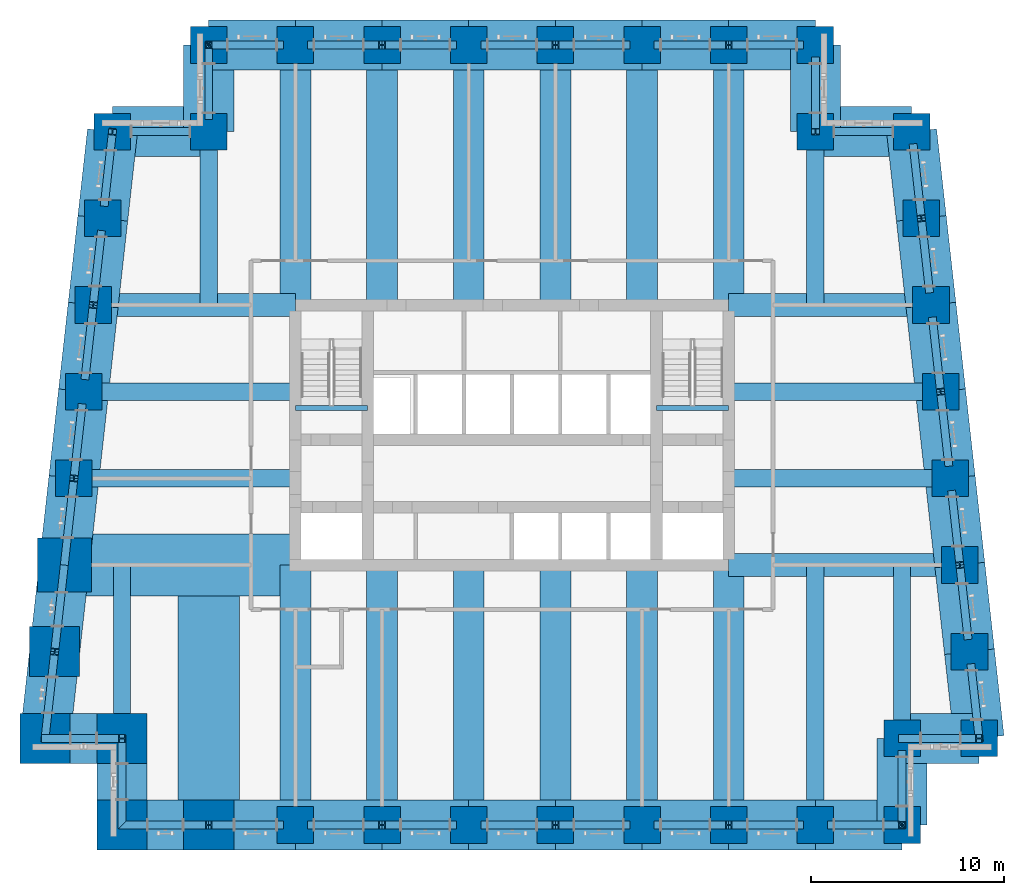
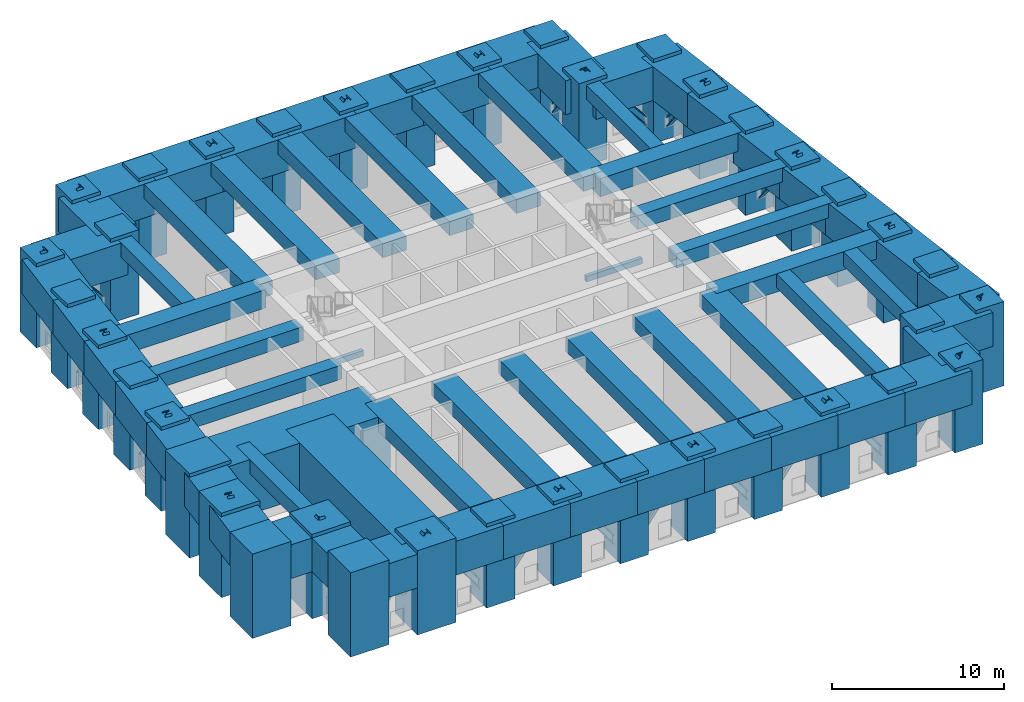
# One storey, part 1 of 17: 66 beams, 38 columns, 38 members.
"""IFC4 building model written with IfcOpenShell, lengths in metres."""

from ifc_helpers import new_model, si_unit, direction, frame, origin, origin_2d, place, context, subcontext, project, spatial, rectangle, i_section, extrude, material, material_profile, profile_set, type_object, element, save


model = new_model("IFC4")

# Units and contexts
model_context = context("Model", 3, precision=1e-05, world=origin(), true_north=direction((0.0, 1.0)))
body_context = subcontext(model_context, "Body", "Model", "MODEL_VIEW")
ifc_project = project(units=[si_unit("LENGTHUNIT", "METRE"), si_unit("AREAUNIT", "SQUARE_METRE"), si_unit("VOLUMEUNIT", "CUBIC_METRE"), si_unit("PLANEANGLEUNIT", "RADIAN"), si_unit("MASSUNIT", "GRAM", prefix="KILO")], contexts=[model_context])

# Site, building, storey
site_placement = place(None, origin())
site = spatial("IfcSite", under=ifc_project, at=site_placement, CompositionType="ELEMENT")
building_placement = place(site_placement, origin())
building = spatial("IfcBuilding", under=site, at=building_placement, Name="Kilele Tower Hotel", CompositionType="ELEMENT")
storey_placement = place(building_placement, frame((0.0, 0.0, 151.89990234375)))
storey = spatial("IfcBuildingStorey", under=building, at=storey_placement, Name="L39", CompositionType="ELEMENT", Elevation=151.89990234375)

# Columns
ifc_material_1 = material(Name="Concrete C80/95", Category="concrete")
ifc_material_profile_1 = material_profile(ifc_material_1, rectangle(XDim=1.89990234375, YDim=1.89990234375, at=origin_2d()))
ifc_profile_set_1 = profile_set([ifc_material_profile_1], Name="Concrete C80/95")
column_type_1 = type_object("IfcColumnType", Name="Tube column RC 1900x1900 C80/95", PredefinedType="COLUMN", material=ifc_profile_set_1)
for number, where, z_axis, x_axis, name in (
    (1, (13.5, 0.0, 0.0), (0.0, 0.0, 1.0), (1.0, 0.0, 0.0), "Column TC1 L39"),
    (2, (18.0, 0.0, 0.0), (0.0, 0.0, 1.0), (1.0, 0.0, 0.0), "Column TC1 L39"),
    (3, (22.5, 0.0, 0.0), (0.0, 0.0, 1.0), (1.0, 0.0, 0.0), "Column TC1 L39"),
    (4, (27.0, 0.0, 0.0), (0.0, 0.0, 1.0), (1.0, 0.0, 0.0), "Column TC1 L39"),
    (5, (31.5, 0.0, 0.0), (0.0, 0.0, 1.0), (1.0, 0.0, 0.0), "Column TC1 L39"),
    (6, (36.0, 0.0, 0.0), (0.0, 0.0, 1.0), (1.0, 0.0, 0.0), "Column TC1 L39"),
    (7, (40.5, 0.0, 0.0), (0.0, 0.0, 1.0), (1.0, 0.0, 0.0), "Column TC1 L39"),
    (8, (45.0, 0.0, 0.0), (0.0, 0.0, 1.0), (1.0, 0.0, 0.0), "Column TC1 L39"),
    (9, (45.0, 4.5, 0.0), (0.0, 0.0, 1.0), (1.0, 0.0, 0.0), "Column TC1 L39"),
    (10, (49.0, 4.5, 0.0), (0.0, 0.0, 1.0), (1.0, 0.0, 0.0), "Column TC1 L39"),
    (11, (48.5, 9.0, 0.0), (0.0, 0.0, 1.0), (1.0, 0.0, 0.0), "Column TC1 L39"),
    (12, (48.0, 13.5, 0.0), (0.0, 0.0, 1.0), (1.0, 0.0, 0.0), "Column TC1 L39"),
    (13, (47.5, 18.0, 0.0), (0.0, 0.0, 1.0), (1.0, 0.0, 0.0), "Column TC1 L39"),
    (14, (47.0, 22.5, 0.0), (0.0, 0.0, 1.0), (1.0, 0.0, 0.0), "Column TC1 L39"),
    (15, (46.5, 27.0, 0.0), (0.0, 0.0, 1.0), (1.0, 0.0, 0.0), "Column TC1 L39"),
    (16, (46.0, 31.5, 0.0), (0.0, 0.0, 1.0), (1.0, 0.0, 0.0), "Column TC1 L39"),
    (17, (45.5, 36.0, 0.0), (0.0, 0.0, 1.0), (1.0, 0.0, 0.0), "Column TC1 L39"),
    (18, (40.5, 36.0, 0.0), (0.0, 0.0, 1.0), (1.0, 0.0, 0.0), "Column TC1 L39"),
    (19, (40.5, 40.5, 0.0), (0.0, 0.0, 1.0), (1.0, 0.0, 0.0), "Column TC1 L39"),
    (20, (36.0, 40.5, 0.0), (0.0, 0.0, 1.0), (1.0, 0.0, 0.0), "Column TC1 L39"),
    (21, (31.5, 40.5, 0.0), (0.0, 0.0, 1.0), (1.0, 0.0, 0.0), "Column TC1 L39"),
    (22, (27.0, 40.5, 0.0), (0.0, 0.0, 1.0), (1.0, 0.0, 0.0), "Column TC1 L39"),
    (23, (22.5, 40.5, 0.0), (0.0, 0.0, 1.0), (1.0, 0.0, 0.0), "Column TC1 L39"),
    (24, (18.0, 40.5, 0.0), (0.0, 0.0, 1.0), (1.0, 0.0, 0.0), "Column TC1 L39"),
    (25, (13.5, 40.5, 0.0), (0.0, 0.0, 1.0), (1.0, 0.0, 0.0), "Column TC1 L39"),
    (26, (9.0, 40.5, 0.0), (0.0, 0.0, 1.0), (1.0, 0.0, 0.0), "Column TC1 L39"),
    (27, (9.0, 36.0, 0.0), (0.0, 0.0, 1.0), (1.0, 0.0, 0.0), "Column TC1 L39"),
    (28, (4.0, 36.0, 0.0), (0.0, 0.0, 1.0), (1.0, 0.0, 0.0), "Column TC1 L39"),
    (29, (3.5, 31.5, 0.0), (0.0, 0.0, 1.0), (1.0, 0.0, 0.0), "Column TC1 L39"),
    (30, (3.0, 27.0, 0.0), (0.0, 0.0, 1.0), (1.0, 0.0, 0.0), "Column TC1 L39"),
    (31, (2.5, 22.5, 0.0), (0.0, 0.0, 1.0), (1.0, 0.0, 0.0), "Column TC1 L39"),
    (32, (2.0, 18.0, 0.0), (0.0, 0.0, 1.0), (1.0, 0.0, 0.0), "Column TC1 L39"),
):
    element("IfcColumn", number, at=place(storey_placement, frame(where, z_axis=z_axis, x_axis=x_axis)), inside=storey, type_object=column_type_1, Name=name, PredefinedType="COLUMN", context=body_context, shape_type="SweptSolid", body=[
        extrude(rectangle(XDim=1.89990234375, YDim=1.89990234375, at=origin_2d()), origin(), (0.0, 0.0, 1.0), 6.0),
    ])
ifc_material_2 = material(Name="Concrete C80/95", Category="concrete")
ifc_material_profile_2 = material_profile(ifc_material_2, rectangle(XDim=2.60009765625, YDim=2.60009765625, at=origin_2d()))
ifc_profile_set_2 = profile_set([ifc_material_profile_2], Name="Concrete C80/95")
column_type_2 = type_object("IfcColumnType", Name="Tube column RC 2600x2600 C80/95", PredefinedType="COLUMN", material=ifc_profile_set_2)
for number, where, z_axis, x_axis, name in (
    (33, (0.5, 4.5, 0.0), (0.0, 0.0, 1.0), (1.0, 0.0, 0.0), "Column TC0 L39"),
    (34, (4.5, 4.5, 0.0), (0.0, 0.0, 1.0), (1.0, 0.0, 0.0), "Column TC0 L39"),
    (35, (4.5, 0.0, 0.0), (0.0, 0.0, 1.0), (1.0, 0.0, 0.0), "Column TC0 L39"),
    (36, (9.0, 0.0, 0.0), (0.0, 0.0, 1.0), (1.0, 0.0, 0.0), "Column TC0 L39"),
    (37, (1.0, 9.0, 0.0), (0.0, 0.0, 1.0), (1.0, 0.0, 0.0), "Column TC0 L39"),
):
    element("IfcColumn", number, at=place(storey_placement, frame(where, z_axis=z_axis, x_axis=x_axis)), inside=storey, type_object=column_type_2, Name=name, PredefinedType="COLUMN", context=body_context, shape_type="SweptSolid", body=[
        extrude(rectangle(XDim=2.60009765625, YDim=2.60009765625, at=origin_2d()), origin(), (0.0, 0.0, 1.0), 6.0),
    ])
ifc_material_3 = material(Name="Concrete C80/95", Category="concrete")
ifc_material_profile_3 = material_profile(ifc_material_3, rectangle(XDim=2.800048828125, YDim=2.800048828125, at=origin_2d()))
ifc_profile_set_3 = profile_set([ifc_material_profile_3], Name="Concrete C80/95")
column_type_3 = type_object("IfcColumnType", Name="Tube column RC 2800x2800 C80/95", PredefinedType="COLUMN", material=ifc_profile_set_3)
column_placement = place(storey_placement, frame((1.5, 13.5, 0.0), z_axis=(0.0, 0.0, 1.0), x_axis=(1.0, 0.0, 0.0)))
element("IfcColumn", 38, at=column_placement, inside=storey, type_object=column_type_3, Name="Column TC14 L39", PredefinedType="COLUMN", context=body_context, shape_type="SweptSolid", body=[
    extrude(rectangle(XDim=2.800048828125, YDim=2.800048828125, at=origin_2d()), origin(), (0.0, 0.0, 1.0), 6.0),
])

# Beams
ifc_material_4 = material(Name="Concrete C60/75", Category="concrete")
ifc_material_profile_4 = material_profile(ifc_material_4, rectangle(XDim=1.60009765625, YDim=1.0, at=origin_2d()))
ifc_profile_set_4 = profile_set([ifc_material_profile_4], Name="Concrete C60/75")
beam_type_1 = type_object("IfcBeamType", Name="Beam RC 1600x1000 C60/75", PredefinedType="BEAM", material=ifc_profile_set_4)
for number, where, z_axis, x_axis, name in (
    (39, (13.5, 0.0, 5.25), (0.0, 1.0, 0.0), (-1.0, 0.0, 0.0), "Beam BC1 level L40"),
    (40, (18.0, 0.0, 5.25), (0.0, 1.0, 0.0), (-1.0, 0.0, 0.0), "Beam BC1 level L40"),
    (41, (22.5, 0.0, 5.25), (0.0, 1.0, 0.0), (-1.0, 0.0, 0.0), "Beam BC1 level L40"),
    (42, (27.0, 0.0, 5.25), (0.0, 1.0, 0.0), (-1.0, 0.0, 0.0), "Beam BC1 level L40"),
    (43, (31.5, 0.0, 5.25), (0.0, 1.0, 0.0), (-1.0, 0.0, 0.0), "Beam BC1 level L40"),
    (44, (36.0, 0.0, 5.25), (0.0, 1.0, 0.0), (-1.0, 0.0, 0.0), "Beam BC1 level L40"),
    (45, (36.0, 40.5, 5.25), (0.0, -1.0, 0.0), (1.0, 0.0, 0.0), "Beam BC1 level L40"),
    (46, (31.5, 40.5, 5.25), (0.0, -1.0, 0.0), (1.0, 0.0, 0.0), "Beam BC1 level L40"),
    (47, (27.0, 40.5, 5.25), (0.0, -1.0, 0.0), (1.0, 0.0, 0.0), "Beam BC1 level L40"),
    (48, (22.5, 40.5, 5.25), (0.0, -1.0, 0.0), (1.0, 0.0, 0.0), "Beam BC1 level L40"),
    (49, (18.0, 40.5, 5.25), (0.0, -1.0, 0.0), (1.0, 0.0, 0.0), "Beam BC1 level L40"),
    (50, (13.5, 40.5, 5.25), (0.0, -1.0, 0.0), (1.0, 0.0, 0.0), "Beam BC1 level L40"),
):
    element("IfcBeam", number, at=place(storey_placement, frame(where, z_axis=z_axis, x_axis=x_axis)), inside=storey, type_object=beam_type_1, Name=name, PredefinedType="BEAM", context=body_context, shape_type="SweptSolid", body=[
        extrude(rectangle(XDim=1.60009765625, YDim=1.0, at=origin_2d()), origin(), (0.0, 0.0, 1.0), 13.5),
    ])
ifc_material_5 = material(Name="Concrete C60/75", Category="concrete")
ifc_material_profile_5 = material_profile(ifc_material_5, rectangle(XDim=0.89990234375, YDim=1.0, at=origin_2d()))
ifc_profile_set_5 = profile_set([ifc_material_profile_5], Name="Concrete C60/75")
beam_type_2 = type_object("IfcBeamType", Name="Beam RC 900x1000 C60/75", PredefinedType="BEAM", material=ifc_profile_set_5)
beam_1_placement = place(storey_placement, frame((4.5, 4.5, 5.25), z_axis=(0.0, 1.0, 0.0), x_axis=(-1.0, 0.0, 0.0)))
element("IfcBeam", 51, at=beam_1_placement, inside=storey, type_object=beam_type_2, Name="Beam B8 level L40", PredefinedType="BEAM", context=body_context, shape_type="SweptSolid", body=[
    extrude(rectangle(XDim=0.89990234375, YDim=1.0, at=origin_2d()), origin(), (0.0, 0.0, 1.0), 9.0),
])
beam_2_placement = place(storey_placement, frame((40.5, 0.0, 5.25), z_axis=(0.0, 1.0, 0.0), x_axis=(-1.0, 0.0, 0.0)))
element("IfcBeam", 52, at=beam_2_placement, inside=storey, type_object=beam_type_2, Name="Beam B8 level L40", PredefinedType="BEAM", context=body_context, shape_type="SweptSolid", body=[
    extrude(rectangle(XDim=0.89990234375, YDim=1.0, at=origin_2d()), origin(), (0.0, 0.0, 1.0), 13.5),
])
beam_3_placement = place(storey_placement, frame((45.0, 4.5, 5.25), z_axis=(0.0, 1.0, 0.0), x_axis=(-1.0, 0.0, 0.0)))
element("IfcBeam", 53, at=beam_3_placement, inside=storey, type_object=beam_type_2, Name="Beam B8 level L40", PredefinedType="BEAM", context=body_context, shape_type="SweptSolid", body=[
    extrude(rectangle(XDim=0.89990234375, YDim=1.0, at=origin_2d()), origin(), (0.0, 0.0, 1.0), 9.0),
])
beam_4_placement = place(storey_placement, frame((47.5, 18.0, 5.25), z_axis=(-1.0, 0.0, 0.0), x_axis=(0.0, -1.0, 0.0)))
element("IfcBeam", 54, at=beam_4_placement, inside=storey, type_object=beam_type_2, Name="Beam B8 level L40", PredefinedType="BEAM", context=body_context, shape_type="SweptSolid", body=[
    extrude(rectangle(XDim=0.89990234375, YDim=1.0, at=origin_2d()), origin(), (0.0, 0.0, 1.0), 11.5),
])
beam_5_placement = place(storey_placement, frame((47.0, 22.5, 5.25), z_axis=(-1.0, 0.0, 0.0), x_axis=(0.0, -1.0, 0.0)))
element("IfcBeam", 55, at=beam_5_placement, inside=storey, type_object=beam_type_2, Name="Beam B8 level L40", PredefinedType="BEAM", context=body_context, shape_type="SweptSolid", body=[
    extrude(rectangle(XDim=0.89990234375, YDim=1.0, at=origin_2d()), origin(), (0.0, 0.0, 1.0), 11.0),
])
for number, where, z_axis, x_axis, name in (
    (56, (40.5, 36.0, 5.25), (0.0, -1.0, 0.0), (1.0, 0.0, 0.0), "Beam B8 level L40"),
    (57, (9.0, 36.0, 5.25), (0.0, -1.0, 0.0), (1.0, 0.0, 0.0), "Beam B8 level L40"),
):
    element("IfcBeam", number, at=place(storey_placement, frame(where, z_axis=z_axis, x_axis=x_axis)), inside=storey, type_object=beam_type_2, Name=name, PredefinedType="BEAM", context=body_context, shape_type="SweptSolid", body=[
        extrude(rectangle(XDim=0.89990234375, YDim=1.0, at=origin_2d()), origin(), (0.0, 0.0, 1.0), 9.0),
    ])
beam_6_placement = place(storey_placement, frame((2.5, 22.5, 5.25), z_axis=(1.0, 0.0, 0.0), x_axis=(0.0, 1.0, 0.0)))
element("IfcBeam", 58, at=beam_6_placement, inside=storey, type_object=beam_type_2, Name="Beam B8 level L40", PredefinedType="BEAM", context=body_context, shape_type="SweptSolid", body=[
    extrude(rectangle(XDim=0.89990234375, YDim=1.0, at=origin_2d()), origin(), (0.0, 0.0, 1.0), 11.0),
])
beam_7_placement = place(storey_placement, frame((2.0, 18.0, 5.25), z_axis=(1.0, 0.0, 0.0), x_axis=(0.0, 1.0, 0.0)))
element("IfcBeam", 59, at=beam_7_placement, inside=storey, type_object=beam_type_2, Name="Beam B8 level L40", PredefinedType="BEAM", context=body_context, shape_type="SweptSolid", body=[
    extrude(rectangle(XDim=0.89990234375, YDim=1.0, at=origin_2d()), origin(), (0.0, 0.0, 1.0), 11.5),
])

# Members
ifc_material_6 = material(Name="Steel S355", Category="steel")
ifc_material_profile_6 = material_profile(ifc_material_6, i_section(OverallWidth=0.412109375, OverallDepth=0.4365234375, WebThickness=0.035888671875, FlangeThickness=0.05810546875, FilletRadius=0.01513671875, at=origin_2d()))
ifc_profile_set_6 = profile_set([ifc_material_profile_6], Name="Steel S355")
member_type = type_object("IfcMemberType", Name="Belt truss diagonal UKC 356x406x467", PredefinedType="BRACE", material=ifc_profile_set_6)
member_1_placement = place(storey_placement, frame((0.5, 4.5, 0.0), z_axis=(0.554700196225, 0.0, 0.832050294338), x_axis=(0.0, 1.0, 0.0)))
element("IfcMember", 60, at=member_1_placement, inside=storey, type_object=member_type, Name="Belt truss diagonal L39 bay 1", PredefinedType="BRACE", context=body_context, shape_type="SweptSolid", body=[
    extrude(i_section(OverallWidth=0.412109375, OverallDepth=0.4365234375, WebThickness=0.035888671875, FlangeThickness=0.05810546875, FilletRadius=0.01513671875, at=origin_2d()), origin(), (0.0, 0.0, 1.0), 7.211181640625),
])
for number, where, z_axis, x_axis, name in (
    (61, (4.5, 4.5, 6.0), (0.0, -0.6, -0.8), (1.0, 0.0, 0.0), "Belt truss diagonal L39 bay 2"),
    (62, (4.5, 0.0, 0.0), (0.6, 0.0, 0.8), (0.0, 1.0, 0.0), "Belt truss diagonal L39 bay 3"),
    (63, (9.0, 0.0, 6.0), (0.6, 0.0, -0.8), (0.0, 1.0, 0.0), "Belt truss diagonal L39 bay 4"),
    (64, (13.5, 0.0, 0.0), (0.6, 0.0, 0.8), (0.0, 1.0, 0.0), "Belt truss diagonal L39 bay 5"),
    (65, (18.0, 0.0, 6.0), (0.6, 0.0, -0.8), (0.0, 1.0, 0.0), "Belt truss diagonal L39 bay 6"),
    (66, (22.5, 0.0, 0.0), (0.6, 0.0, 0.8), (0.0, 1.0, 0.0), "Belt truss diagonal L39 bay 7"),
    (67, (27.0, 0.0, 6.0), (0.6, 0.0, -0.8), (0.0, 1.0, 0.0), "Belt truss diagonal L39 bay 8"),
    (68, (31.5, 0.0, 0.0), (0.6, 0.0, 0.8), (0.0, 1.0, 0.0), "Belt truss diagonal L39 bay 9"),
    (69, (36.0, 0.0, 6.0), (0.6, 0.0, -0.8), (0.0, 1.0, 0.0), "Belt truss diagonal L39 bay 10"),
    (70, (40.5, 0.0, 0.0), (0.6, 0.0, 0.8), (0.0, 1.0, 0.0), "Belt truss diagonal L39 bay 11"),
    (71, (45.0, 0.0, 6.0), (0.0, 0.6, -0.8), (-1.0, 0.0, 0.0), "Belt truss diagonal L39 bay 12"),
):
    element("IfcMember", number, at=place(storey_placement, frame(where, z_axis=z_axis, x_axis=x_axis)), inside=storey, type_object=member_type, Name=name, PredefinedType="BRACE", context=body_context, shape_type="SweptSolid", body=[
        extrude(i_section(OverallWidth=0.412109375, OverallDepth=0.4365234375, WebThickness=0.035888671875, FlangeThickness=0.05810546875, FilletRadius=0.01513671875, at=origin_2d()), origin(), (0.0, 0.0, 1.0), 7.5),
    ])
member_2_placement = place(storey_placement, frame((45.0, 4.5, 0.0), z_axis=(0.554700196225, 0.0, 0.832050294338), x_axis=(0.0, 1.0, 0.0)))
element("IfcMember", 72, at=member_2_placement, inside=storey, type_object=member_type, Name="Belt truss diagonal L39 bay 13", PredefinedType="BRACE", context=body_context, shape_type="SweptSolid", body=[
    extrude(i_section(OverallWidth=0.412109375, OverallDepth=0.4365234375, WebThickness=0.035888671875, FlangeThickness=0.05810546875, FilletRadius=0.01513671875, at=origin_2d()), origin(), (0.0, 0.0, 1.0), 7.211181640625),
])
for number, where, z_axis, x_axis, name in (
    (73, (49.0, 4.5, 6.0), (-0.066519010524, 0.598671094714, -0.798228126285), (-0.993883734674, -0.110431526075, 0.0), "Belt truss diagonal L39 bay 14"),
    (74, (48.5, 9.0, 0.0), (-0.066519010524, 0.598671094714, 0.798228126285), (-0.993883734674, -0.110431526075, 0.0), "Belt truss diagonal L39 bay 15"),
    (75, (48.0, 13.5, 6.0), (-0.066519010524, 0.598671094714, -0.798228126285), (-0.993883734674, -0.110431526075, 0.0), "Belt truss diagonal L39 bay 16"),
    (76, (47.5, 18.0, 0.0), (-0.066519010524, 0.598671094714, 0.798228126285), (-0.993883734674, -0.110431526075, 0.0), "Belt truss diagonal L39 bay 17"),
    (77, (47.0, 22.5, 6.0), (-0.066519010524, 0.598671094714, -0.798228126285), (-0.993883734674, -0.110431526075, 0.0), "Belt truss diagonal L39 bay 18"),
    (78, (46.5, 27.0, 0.0), (-0.066519010524, 0.598671094714, 0.798228126285), (-0.993883734674, -0.110431526075, 0.0), "Belt truss diagonal L39 bay 19"),
    (79, (46.0, 31.5, 6.0), (-0.066519010524, 0.598671094714, -0.798228126285), (-0.993883734674, -0.110431526075, 0.0), "Belt truss diagonal L39 bay 20"),
):
    element("IfcMember", number, at=place(storey_placement, frame(where, z_axis=z_axis, x_axis=x_axis)), inside=storey, type_object=member_type, Name=name, PredefinedType="BRACE", context=body_context, shape_type="SweptSolid", body=[
        extrude(i_section(OverallWidth=0.412109375, OverallDepth=0.4365234375, WebThickness=0.035888671875, FlangeThickness=0.05810546875, FilletRadius=0.01513671875, at=origin_2d()), origin(), (0.0, 0.0, 1.0), 7.5166015625),
    ])
member_3_placement = place(storey_placement, frame((45.5, 36.0, 0.0), z_axis=(-0.640184399664, 0.0, 0.768221279597), x_axis=(0.0, -1.0, 0.0)))
element("IfcMember", 80, at=member_3_placement, inside=storey, type_object=member_type, Name="Belt truss diagonal L39 bay 21", PredefinedType="BRACE", context=body_context, shape_type="SweptSolid", body=[
    extrude(i_section(OverallWidth=0.412109375, OverallDepth=0.4365234375, WebThickness=0.035888671875, FlangeThickness=0.05810546875, FilletRadius=0.01513671875, at=origin_2d()), origin(), (0.0, 0.0, 1.0), 7.810302734375),
])
for number, where, z_axis, x_axis, name in (
    (81, (40.5, 36.0, 6.0), (0.0, 0.6, -0.8), (-1.0, 0.0, 0.0), "Belt truss diagonal L39 bay 22"),
    (82, (40.5, 40.5, 0.0), (-0.6, 0.0, 0.8), (0.0, -1.0, 0.0), "Belt truss diagonal L39 bay 23"),
    (83, (36.0, 40.5, 6.0), (-0.6, 0.0, -0.8), (0.0, -1.0, 0.0), "Belt truss diagonal L39 bay 24"),
    (84, (31.5, 40.5, 0.0), (-0.6, 0.0, 0.8), (0.0, -1.0, 0.0), "Belt truss diagonal L39 bay 25"),
    (85, (27.0, 40.5, 6.0), (-0.6, 0.0, -0.8), (0.0, -1.0, 0.0), "Belt truss diagonal L39 bay 26"),
    (86, (22.5, 40.5, 0.0), (-0.6, 0.0, 0.8), (0.0, -1.0, 0.0), "Belt truss diagonal L39 bay 27"),
    (87, (18.0, 40.5, 6.0), (-0.6, 0.0, -0.8), (0.0, -1.0, 0.0), "Belt truss diagonal L39 bay 28"),
    (88, (13.5, 40.5, 0.0), (-0.6, 0.0, 0.8), (0.0, -1.0, 0.0), "Belt truss diagonal L39 bay 29"),
    (89, (9.0, 40.5, 6.0), (0.0, -0.6, -0.8), (1.0, 0.0, 0.0), "Belt truss diagonal L39 bay 30"),
):
    element("IfcMember", number, at=place(storey_placement, frame(where, z_axis=z_axis, x_axis=x_axis)), inside=storey, type_object=member_type, Name=name, PredefinedType="BRACE", context=body_context, shape_type="SweptSolid", body=[
        extrude(i_section(OverallWidth=0.412109375, OverallDepth=0.4365234375, WebThickness=0.035888671875, FlangeThickness=0.05810546875, FilletRadius=0.01513671875, at=origin_2d()), origin(), (0.0, 0.0, 1.0), 7.5),
    ])
member_4_placement = place(storey_placement, frame((9.0, 36.0, 0.0), z_axis=(-0.640184399664, 0.0, 0.768221279597), x_axis=(0.0, -1.0, 0.0)))
element("IfcMember", 90, at=member_4_placement, inside=storey, type_object=member_type, Name="Belt truss diagonal L39 bay 31", PredefinedType="BRACE", context=body_context, shape_type="SweptSolid", body=[
    extrude(i_section(OverallWidth=0.412109375, OverallDepth=0.4365234375, WebThickness=0.035888671875, FlangeThickness=0.05810546875, FilletRadius=0.01513671875, at=origin_2d()), origin(), (0.0, 0.0, 1.0), 7.810302734375),
])
for number, where, z_axis, x_axis, name in (
    (91, (4.0, 36.0, 6.0), (-0.066519010524, -0.598671094714, -0.798228126285), (0.993883734674, -0.110431526075, 0.0), "Belt truss diagonal L39 bay 32"),
    (92, (3.5, 31.5, 0.0), (-0.066519010524, -0.598671094714, 0.798228126285), (0.993883734674, -0.110431526075, 0.0), "Belt truss diagonal L39 bay 33"),
    (93, (3.0, 27.0, 6.0), (-0.066519010524, -0.598671094714, -0.798228126285), (0.993883734674, -0.110431526075, 0.0), "Belt truss diagonal L39 bay 34"),
    (94, (2.5, 22.5, 0.0), (-0.066519010524, -0.598671094714, 0.798228126285), (0.993883734674, -0.110431526075, 0.0), "Belt truss diagonal L39 bay 35"),
    (95, (2.0, 18.0, 6.0), (-0.066519010524, -0.598671094714, -0.798228126285), (0.993883734674, -0.110431526075, 0.0), "Belt truss diagonal L39 bay 36"),
    (96, (1.5, 13.5, 0.0), (-0.066519010524, -0.598671094714, 0.798228126285), (0.993883734674, -0.110431526075, 0.0), "Belt truss diagonal L39 bay 37"),
    (97, (1.0, 9.0, 6.0), (-0.066519010524, -0.598671094714, -0.798228126285), (0.993883734674, -0.110431526075, 0.0), "Belt truss diagonal L39 bay 38"),
):
    element("IfcMember", number, at=place(storey_placement, frame(where, z_axis=z_axis, x_axis=x_axis)), inside=storey, type_object=member_type, Name=name, PredefinedType="BRACE", context=body_context, shape_type="SweptSolid", body=[
        extrude(i_section(OverallWidth=0.412109375, OverallDepth=0.4365234375, WebThickness=0.035888671875, FlangeThickness=0.05810546875, FilletRadius=0.01513671875, at=origin_2d()), origin(), (0.0, 0.0, 1.0), 7.5166015625),
    ])

# Beams
ifc_material_7 = material(Name="Concrete C60/75", Category="concrete")
ifc_material_profile_7 = material_profile(ifc_material_7, rectangle(XDim=1.199951171875, YDim=1.300048828125, at=origin_2d()))
ifc_profile_set_7 = profile_set([ifc_material_profile_7], Name="Concrete C60/75")
beam_type_3 = type_object("IfcBeamType", Name="Girder RC 1200x1300 C60/75", PredefinedType="BEAM", material=ifc_profile_set_7)
beam_8_placement = place(storey_placement, frame((48.0, 13.5, 5.10009765625), z_axis=(-1.0, 0.0, 0.0), x_axis=(0.0, -1.0, 0.0)))
element("IfcBeam", 98, at=beam_8_placement, inside=storey, type_object=beam_type_3, Name="Girder G1 level L40", PredefinedType="BEAM", context=body_context, shape_type="SweptSolid", body=[
    extrude(rectangle(XDim=1.199951171875, YDim=1.300048828125, at=origin_2d()), origin(), (0.0, 0.0, 1.0), 12.0),
])
ifc_material_8 = material(Name="Concrete C60/75", Category="concrete")
ifc_material_profile_8 = material_profile(ifc_material_8, rectangle(XDim=1.199951171875, YDim=1.300048828125, at=origin_2d()))
ifc_profile_set_8 = profile_set([ifc_material_profile_8], Name="Concrete C60/75")
beam_type_4 = type_object("IfcBeamType", Name="Girder RC 1200x1300 C60/75 mid span", PredefinedType="BEAM", material=ifc_profile_set_8)
for number, where, z_axis, x_axis, name in (
    (99, (46.5, 27.0, 5.10009765625), (-1.0, 0.0, 0.0), (0.0, -1.0, 0.0), "Girder G3 level L40"),
    (100, (3.0, 27.0, 5.10009765625), (1.0, 0.0, 0.0), (0.0, 1.0, 0.0), "Girder G3 level L40"),
):
    element("IfcBeam", number, at=place(storey_placement, frame(where, z_axis=z_axis, x_axis=x_axis)), inside=storey, type_object=beam_type_4, Name=name, PredefinedType="BEAM", context=body_context, shape_type="SweptSolid", body=[
        extrude(rectangle(XDim=1.199951171875, YDim=1.300048828125, at=origin_2d()), origin(), (0.0, 0.0, 1.0), 10.5),
    ])
ifc_material_9 = material(Name="Concrete C40/50", Category="concrete")
ifc_material_profile_9 = material_profile(ifc_material_9, rectangle(XDim=0.25, YDim=0.39990234375, at=origin_2d()))
ifc_profile_set_9 = profile_set([ifc_material_profile_9], Name="Concrete C40/50")
beam_type_5 = type_object("IfcBeamType", Name="Landing beam RC 250x400 C40/50", PredefinedType="BEAM", material=ifc_profile_set_9)
for number, where, z_axis, x_axis, name in (
    (101, (13.5, 21.64990234375, 2.857177734375), (1.0, 0.0, 0.0), (0.0, 1.0, 0.0), "Landing beam ST1 L39"),
    (102, (32.25, 21.64990234375, 2.857177734375), (1.0, 0.0, 0.0), (0.0, 1.0, 0.0), "Landing beam ST2 L39"),
):
    element("IfcBeam", number, at=place(storey_placement, frame(where, z_axis=z_axis, x_axis=x_axis)), inside=storey, type_object=beam_type_5, Name=name, PredefinedType="BEAM", context=body_context, shape_type="SweptSolid", body=[
        extrude(rectangle(XDim=0.25, YDim=0.39990234375, at=origin_2d()), origin(), (0.0, 0.0, 1.0), 3.75),
    ])
ifc_material_10 = material(Name="Concrete C80/95", Category="concrete")
ifc_material_profile_10 = material_profile(ifc_material_10, rectangle(XDim=2.60009765625, YDim=2.39990234375, at=origin_2d()))
ifc_profile_set_10 = profile_set([ifc_material_profile_10], Name="Concrete C80/95")
beam_type_6 = type_object("IfcBeamType", Name="Spandrel RC 2600x2400 C80/95", PredefinedType="SPANDREL", material=ifc_profile_set_10)
beam_9_placement = place(storey_placement, frame((0.5, 4.5, 4.550048828125), z_axis=(1.0, 0.0, 0.0), x_axis=(0.0, 1.0, 0.0)))
element("IfcBeam", 103, at=beam_9_placement, inside=storey, type_object=beam_type_6, Name="Spandrel SP16 level L40", PredefinedType="SPANDREL", context=body_context, shape_type="SweptSolid", body=[
    extrude(rectangle(XDim=2.60009765625, YDim=2.39990234375, at=origin_2d()), origin(), (0.0, 0.0, 1.0), 4.0),
])
for number, where, z_axis, x_axis, name in (
    (104, (4.5, 4.5, 4.550048828125), (0.0, -1.0, 0.0), (1.0, 0.0, 0.0), "Spandrel SP16 level L40"),
    (105, (4.5, 0.0, 4.550048828125), (1.0, 0.0, 0.0), (0.0, 1.0, 0.0), "Spandrel SP16 level L40"),
    (106, (9.0, 0.0, 4.550048828125), (1.0, 0.0, 0.0), (0.0, 1.0, 0.0), "Spandrel SP16 level L40"),
    (107, (13.5, 0.0, 4.550048828125), (1.0, 0.0, 0.0), (0.0, 1.0, 0.0), "Spandrel SP16 level L40"),
    (108, (18.0, 0.0, 4.550048828125), (1.0, 0.0, 0.0), (0.0, 1.0, 0.0), "Spandrel SP16 level L40"),
    (109, (22.5, 0.0, 4.550048828125), (1.0, 0.0, 0.0), (0.0, 1.0, 0.0), "Spandrel SP16 level L40"),
    (110, (27.0, 0.0, 4.550048828125), (1.0, 0.0, 0.0), (0.0, 1.0, 0.0), "Spandrel SP16 level L40"),
    (111, (31.5, 0.0, 4.550048828125), (1.0, 0.0, 0.0), (0.0, 1.0, 0.0), "Spandrel SP16 level L40"),
    (112, (36.0, 0.0, 4.550048828125), (1.0, 0.0, 0.0), (0.0, 1.0, 0.0), "Spandrel SP16 level L40"),
    (113, (40.5, 0.0, 4.550048828125), (1.0, 0.0, 0.0), (0.0, 1.0, 0.0), "Spandrel SP16 level L40"),
    (114, (45.0, 0.0, 4.550048828125), (0.0, 1.0, 0.0), (-1.0, 0.0, 0.0), "Spandrel SP16 level L40"),
):
    element("IfcBeam", number, at=place(storey_placement, frame(where, z_axis=z_axis, x_axis=x_axis)), inside=storey, type_object=beam_type_6, Name=name, PredefinedType="SPANDREL", context=body_context, shape_type="SweptSolid", body=[
        extrude(rectangle(XDim=2.60009765625, YDim=2.39990234375, at=origin_2d()), origin(), (0.0, 0.0, 1.0), 4.5),
    ])
beam_10_placement = place(storey_placement, frame((45.0, 4.5, 4.550048828125), z_axis=(1.0, 0.0, 0.0), x_axis=(0.0, 1.0, 0.0)))
element("IfcBeam", 115, at=beam_10_placement, inside=storey, type_object=beam_type_6, Name="Spandrel SP16 level L40", PredefinedType="SPANDREL", context=body_context, shape_type="SweptSolid", body=[
    extrude(rectangle(XDim=2.60009765625, YDim=2.39990234375, at=origin_2d()), origin(), (0.0, 0.0, 1.0), 4.0),
])
for number, where, z_axis, x_axis, name in (
    (116, (49.0, 4.5, 4.550048828125), (-0.110431526075, 0.993883734674, 0.0), (-0.993883734674, -0.110431526075, 0.0), "Spandrel SP16 level L40"),
    (117, (48.5, 9.0, 4.550048828125), (-0.110431526075, 0.993883734674, 0.0), (-0.993883734674, -0.110431526075, 0.0), "Spandrel SP16 level L40"),
    (118, (48.0, 13.5, 4.550048828125), (-0.110431526075, 0.993883734674, 0.0), (-0.993883734674, -0.110431526075, 0.0), "Spandrel SP16 level L40"),
    (119, (47.5, 18.0, 4.550048828125), (-0.110431526075, 0.993883734674, 0.0), (-0.993883734674, -0.110431526075, 0.0), "Spandrel SP16 level L40"),
    (120, (47.0, 22.5, 4.550048828125), (-0.110431526075, 0.993883734674, 0.0), (-0.993883734674, -0.110431526075, 0.0), "Spandrel SP16 level L40"),
    (121, (46.5, 27.0, 4.550048828125), (-0.110431526075, 0.993883734674, 0.0), (-0.993883734674, -0.110431526075, 0.0), "Spandrel SP16 level L40"),
    (122, (46.0, 31.5, 4.550048828125), (-0.110431526075, 0.993883734674, 0.0), (-0.993883734674, -0.110431526075, 0.0), "Spandrel SP16 level L40"),
):
    element("IfcBeam", number, at=place(storey_placement, frame(where, z_axis=z_axis, x_axis=x_axis)), inside=storey, type_object=beam_type_6, Name=name, PredefinedType="SPANDREL", context=body_context, shape_type="SweptSolid", body=[
        extrude(rectangle(XDim=2.60009765625, YDim=2.39990234375, at=origin_2d()), origin(), (0.0, 0.0, 1.0), 4.527587890625),
    ])
beam_11_placement = place(storey_placement, frame((45.5, 36.0, 4.550048828125), z_axis=(-1.0, 0.0, 0.0), x_axis=(0.0, -1.0, 0.0)))
element("IfcBeam", 123, at=beam_11_placement, inside=storey, type_object=beam_type_6, Name="Spandrel SP16 level L40", PredefinedType="SPANDREL", context=body_context, shape_type="SweptSolid", body=[
    extrude(rectangle(XDim=2.60009765625, YDim=2.39990234375, at=origin_2d()), origin(), (0.0, 0.0, 1.0), 5.0),
])
for number, where, z_axis, x_axis, name in (
    (124, (40.5, 36.0, 4.550048828125), (0.0, 1.0, 0.0), (-1.0, 0.0, 0.0), "Spandrel SP16 level L40"),
    (125, (40.5, 40.5, 4.550048828125), (-1.0, 0.0, 0.0), (0.0, -1.0, 0.0), "Spandrel SP16 level L40"),
    (126, (36.0, 40.5, 4.550048828125), (-1.0, 0.0, 0.0), (0.0, -1.0, 0.0), "Spandrel SP16 level L40"),
    (127, (31.5, 40.5, 4.550048828125), (-1.0, 0.0, 0.0), (0.0, -1.0, 0.0), "Spandrel SP16 level L40"),
    (128, (27.0, 40.5, 4.550048828125), (-1.0, 0.0, 0.0), (0.0, -1.0, 0.0), "Spandrel SP16 level L40"),
    (129, (22.5, 40.5, 4.550048828125), (-1.0, 0.0, 0.0), (0.0, -1.0, 0.0), "Spandrel SP16 level L40"),
    (130, (18.0, 40.5, 4.550048828125), (-1.0, 0.0, 0.0), (0.0, -1.0, 0.0), "Spandrel SP16 level L40"),
    (131, (13.5, 40.5, 4.550048828125), (-1.0, 0.0, 0.0), (0.0, -1.0, 0.0), "Spandrel SP16 level L40"),
    (132, (9.0, 40.5, 4.550048828125), (0.0, -1.0, 0.0), (1.0, 0.0, 0.0), "Spandrel SP16 level L40"),
):
    element("IfcBeam", number, at=place(storey_placement, frame(where, z_axis=z_axis, x_axis=x_axis)), inside=storey, type_object=beam_type_6, Name=name, PredefinedType="SPANDREL", context=body_context, shape_type="SweptSolid", body=[
        extrude(rectangle(XDim=2.60009765625, YDim=2.39990234375, at=origin_2d()), origin(), (0.0, 0.0, 1.0), 4.5),
    ])
beam_12_placement = place(storey_placement, frame((9.0, 36.0, 4.550048828125), z_axis=(-1.0, 0.0, 0.0), x_axis=(0.0, -1.0, 0.0)))
element("IfcBeam", 133, at=beam_12_placement, inside=storey, type_object=beam_type_6, Name="Spandrel SP16 level L40", PredefinedType="SPANDREL", context=body_context, shape_type="SweptSolid", body=[
    extrude(rectangle(XDim=2.60009765625, YDim=2.39990234375, at=origin_2d()), origin(), (0.0, 0.0, 1.0), 5.0),
])
for number, where, z_axis, x_axis, name in (
    (134, (4.0, 36.0, 4.550048828125), (-0.110431526075, -0.993883734674, 0.0), (0.993883734674, -0.110431526075, 0.0), "Spandrel SP16 level L40"),
    (135, (3.5, 31.5, 4.550048828125), (-0.110431526075, -0.993883734674, 0.0), (0.993883734674, -0.110431526075, 0.0), "Spandrel SP16 level L40"),
    (136, (3.0, 27.0, 4.550048828125), (-0.110431526075, -0.993883734674, 0.0), (0.993883734674, -0.110431526075, 0.0), "Spandrel SP16 level L40"),
    (137, (2.5, 22.5, 4.550048828125), (-0.110431526075, -0.993883734674, 0.0), (0.993883734674, -0.110431526075, 0.0), "Spandrel SP16 level L40"),
    (138, (2.0, 18.0, 4.550048828125), (-0.110431526075, -0.993883734674, 0.0), (0.993883734674, -0.110431526075, 0.0), "Spandrel SP16 level L40"),
    (139, (1.5, 13.5, 4.550048828125), (-0.110431526075, -0.993883734674, 0.0), (0.993883734674, -0.110431526075, 0.0), "Spandrel SP16 level L40"),
    (140, (1.0, 9.0, 4.550048828125), (-0.110431526075, -0.993883734674, 0.0), (0.993883734674, -0.110431526075, 0.0), "Spandrel SP16 level L40"),
):
    element("IfcBeam", number, at=place(storey_placement, frame(where, z_axis=z_axis, x_axis=x_axis)), inside=storey, type_object=beam_type_6, Name=name, PredefinedType="SPANDREL", context=body_context, shape_type="SweptSolid", body=[
        extrude(rectangle(XDim=2.60009765625, YDim=2.39990234375, at=origin_2d()), origin(), (0.0, 0.0, 1.0), 4.527587890625),
    ])
ifc_material_11 = material(Name="Concrete C60/75", Category="concrete")
ifc_material_profile_11 = material_profile(ifc_material_11, rectangle(XDim=3.199951171875, YDim=3.60009765625, at=origin_2d()))
ifc_profile_set_11 = profile_set([ifc_material_profile_11], Name="Concrete C60/75")
beam_type_7 = type_object("IfcBeamType", Name="Transfer girder RC 3200x3600 C60/75", PredefinedType="USERDEFINED", material=ifc_profile_set_11)
beam_13_placement = place(storey_placement, frame((9.0, 0.0, 3.9501953125), z_axis=(0.0, 1.0, 0.0), x_axis=(-1.0, 0.0, 0.0)))
element("IfcBeam", 141, at=beam_13_placement, inside=storey, type_object=beam_type_7, Name="Transfer girder TG7 level L40", ObjectType="TRANSFER GIRDER", PredefinedType="USERDEFINED", context=body_context, shape_type="SweptSolid", body=[
    extrude(rectangle(XDim=3.199951171875, YDim=3.60009765625, at=origin_2d()), origin(), (0.0, 0.0, 1.0), 13.5),
])
ifc_material_12 = material(Name="Concrete C60/75", Category="concrete")
ifc_material_profile_12 = material_profile(ifc_material_12, rectangle(XDim=3.199951171875, YDim=3.89990234375, at=origin_2d()))
ifc_profile_set_12 = profile_set([ifc_material_profile_12], Name="Concrete C60/75")
beam_type_8 = type_object("IfcBeamType", Name="Transfer girder RC 3200x3900 C60/75", PredefinedType="USERDEFINED", material=ifc_profile_set_12)
beam_14_placement = place(storey_placement, frame((1.5, 13.5, 3.800048828125), z_axis=(1.0, 0.0, 0.0), x_axis=(0.0, 1.0, 0.0)))
element("IfcBeam", 142, at=beam_14_placement, inside=storey, type_object=beam_type_8, Name="Transfer girder TG9 level L40", ObjectType="TRANSFER GIRDER", PredefinedType="USERDEFINED", context=body_context, shape_type="SweptSolid", body=[
    extrude(rectangle(XDim=3.199951171875, YDim=3.89990234375, at=origin_2d()), origin(), (0.0, 0.0, 1.0), 12.0),
])

save(model, "model.ifc")
